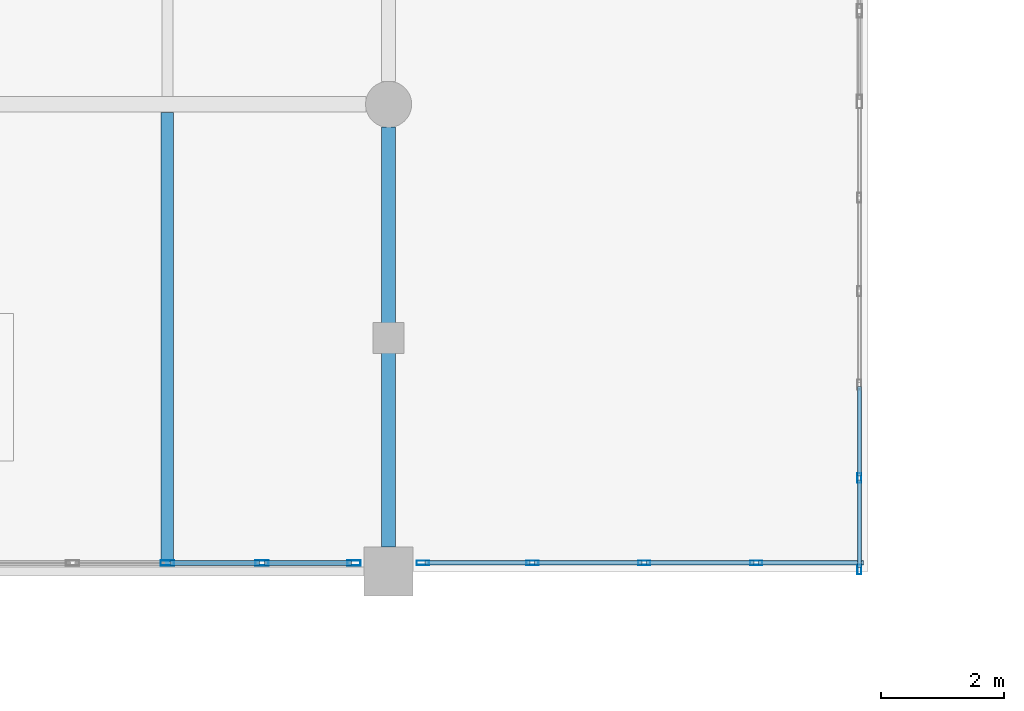
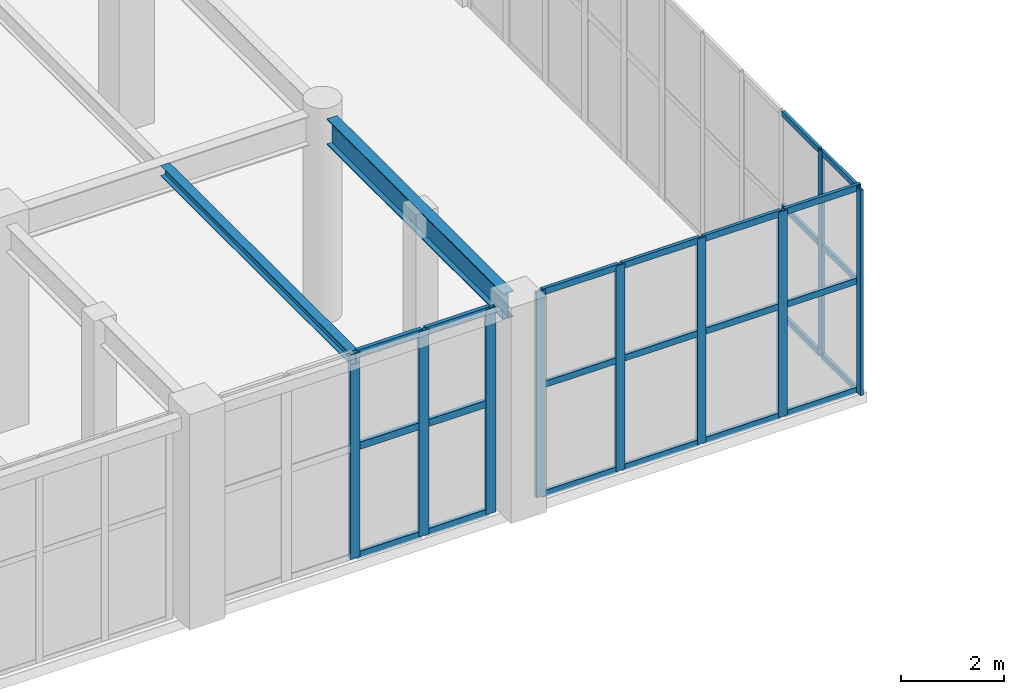
# One storey, part 43 of 128: 33 members, 2 beams, 3 elements without a shape of their own.
"""IFC4 building model written with IfcOpenShell, lengths in metres."""

from ifc_helpers import new_model, si_unit, direction, frame, origin, origin_2d, place, context, subcontext, project, spatial, hollow_rectangle, i_section, extrude, material, layer, layer_set, material_profile, profile_set, type_object, element, aggregate, save


model = new_model("IFC4")

# Units and contexts
model_context = context("Model", 3, precision=1e-05, world=origin(), true_north=direction((0.0, 1.0)))
body_context = subcontext(model_context, "Body", "Model", "MODEL_VIEW")
ifc_project = project(units=[si_unit("LENGTHUNIT", "METRE"), si_unit("AREAUNIT", "SQUARE_METRE"), si_unit("VOLUMEUNIT", "CUBIC_METRE"), si_unit("PLANEANGLEUNIT", "RADIAN"), si_unit("MASSUNIT", "GRAM", prefix="KILO")], contexts=[model_context])

# Site, building, storey
site_placement = place(None, origin())
site = spatial("IfcSite", under=ifc_project, at=site_placement, CompositionType="ELEMENT")
building_placement = place(site_placement, origin())
building = spatial("IfcBuilding", under=site, at=building_placement, Name="Xicomal Pleat Aquarium", CompositionType="ELEMENT")
storey_placement = place(building_placement, frame((0.0, 0.0, 5.39990234375)))
storey = spatial("IfcBuildingStorey", under=building, at=storey_placement, Name="L02", CompositionType="ELEMENT", Elevation=5.39990234375)

# Beams
ifc_material_1 = material(Name="Structural steel A992 Gr 50", Category="steel")
ifc_material_profile_1 = material_profile(ifc_material_1, i_section(OverallWidth=0.201904296875, OverallDepth=0.2470703125, WebThickness=0.00732421875, FlangeThickness=0.010986328125, at=origin_2d()), Name="IR 250x49")
ifc_profile_set_1 = profile_set([ifc_material_profile_1], Name="Structural steel A992 Gr 50")
beam_type_1 = type_object("IfcBeamType", Name="BM-STL-IR250", PredefinedType="JOIST", material=ifc_profile_set_1)
beam_1_placement = place(storey_placement, frame((114.60009765625, 38.077880859375, 4.736572265625), z_axis=(0.0, 1.0, 0.0), x_axis=(-1.0, 0.0, 0.0)))
element("IfcBeam", 1, at=beam_1_placement, inside=storey, type_object=beam_type_1, Name="L02 framing beam FBJ-L02-14-F-1", PredefinedType="JOIST", context=body_context, shape_type="SweptSolid", body=[
    extrude(i_section(OverallWidth=0.201904296875, OverallDepth=0.2470703125, WebThickness=0.00732421875, FlangeThickness=0.010986328125, at=origin_2d()), origin(), (0.0, 0.0, 1.0), 7.39111328125),
])
ifc_material_2 = material(Name="Structural steel A992 Gr 50", Category="steel")
ifc_material_profile_2 = material_profile(ifc_material_2, i_section(OverallWidth=0.22998046875, OverallDepth=0.616943359375, WebThickness=0.01318359375, FlangeThickness=0.022216796875, at=origin_2d()), Name="IR 610x140")
ifc_profile_set_2 = profile_set([ifc_material_profile_2], Name="Structural steel A992 Gr 50")
beam_type_2 = type_object("IfcBeamType", Name="BM-STL-IR610", PredefinedType="BEAM", material=ifc_profile_set_2)
beam_2_placement = place(storey_placement, frame((118.199951171875, 38.39501953125, 4.551513671875), z_axis=(0.0, 1.0, 0.0), x_axis=(-1.0, 0.0, 0.0)))
element("IfcBeam", 2, at=beam_2_placement, inside=storey, type_object=beam_type_2, Name="L02 framing beam FGY-L02-15-F-G", PredefinedType="BEAM", context=body_context, shape_type="SweptSolid", body=[
    extrude(i_section(OverallWidth=0.22998046875, OverallDepth=0.616943359375, WebThickness=0.01318359375, FlangeThickness=0.022216796875, at=origin_2d()), origin(), (0.0, 0.0, 1.0), 6.8349609375),
])

# Curtain wall, members
ifc_material_3 = material(Name="Bronze anodized aluminium 6063-T6", Category="aluminium")
ifc_layer_1 = layer(ifc_material_3, 0.159912109375)
ifc_layer_set_1 = layer_set([ifc_layer_1], Name="Bronze anodized aluminium 6063-T6")
curtain_wall_type_1 = type_object("IfcCurtainWallType", Name="CW-SYS-02", PredefinedType="NOTDEFINED", material=ifc_layer_set_1)
curtain_wall_1_placement = place(storey_placement, origin())
curtain_wall_1 = element("IfcCurtainWall", 3, at=curtain_wall_1_placement, inside=storey, type_object=curtain_wall_type_1, Name="L02 unitised curtain wall CW-L02-114", PredefinedType="NOTDEFINED")
ifc_material_4 = material(Name="Bronze anodized aluminium 6063-T6", Category="aluminium")
ifc_material_profile_3 = material_profile(ifc_material_4, hollow_rectangle(XDim=0.06494140625, YDim=0.159912109375, WallThickness=0.00390625, at=origin_2d()), Name="ALU MULL 65x160")
ifc_profile_set_3 = profile_set([ifc_material_profile_3], Name="Bronze anodized aluminium 6063-T6")
member_type_1 = type_object("IfcMemberType", Name="CWM-65x160", PredefinedType="MULLION", material=ifc_profile_set_3)
member_1_placement = place(storey_placement, frame((125.860107421875, 39.52001953125, 0.0), z_axis=(0.0, 0.0, 1.0), x_axis=(1.0, 0.0, 0.0)))
member_1 = element("IfcMember", 4, at=member_1_placement, type_object=member_type_1, Name="CW-02 mullion 5", PredefinedType="MULLION", context=body_context, shape_type="SweptSolid", body=[
    extrude(hollow_rectangle(XDim=0.06494140625, YDim=0.159912109375, WallThickness=0.00390625, at=origin_2d()), origin(), (0.0, 0.0, 1.0), 4.860107421875),
])
member_2_placement = place(storey_placement, frame((125.860107421875, 38.032470703125, 0.0), z_axis=(0.0, 0.0, 1.0), x_axis=(1.0, 0.0, 0.0)))
member_2 = element("IfcMember", 5, at=member_2_placement, type_object=member_type_1, Name="CW-02 mullion 6", PredefinedType="MULLION", context=body_context, shape_type="SweptSolid", body=[
    extrude(hollow_rectangle(XDim=0.06494140625, YDim=0.159912109375, WallThickness=0.00390625, at=origin_2d()), origin(), (0.0, 0.0, 1.0), 4.860107421875),
])

ifc_material_5 = material(Name="Bronze anodized aluminium 6063-T6", Category="aluminium")
ifc_layer_2 = layer(ifc_material_5, 0.159912109375)
ifc_layer_set_2 = layer_set([ifc_layer_2], Name="Bronze anodized aluminium 6063-T6")
curtain_wall_type_2 = type_object("IfcCurtainWallType", Name="CW-SYS-07", PredefinedType="NOTDEFINED", material=ifc_layer_set_2)
curtain_wall_2_placement = place(storey_placement, origin())
curtain_wall_2 = element("IfcCurtainWall", 6, at=curtain_wall_2_placement, inside=storey, type_object=curtain_wall_type_2, Name="L02 unitised curtain wall CW-L02-115", PredefinedType="NOTDEFINED")
ifc_material_6 = material(Name="Bronze anodized aluminium 6063-T6", Category="aluminium")
ifc_material_profile_4 = material_profile(ifc_material_6, hollow_rectangle(XDim=0.074951171875, YDim=0.199951171875, WallThickness=0.00439453125, at=origin_2d()), Name="ALU MULL 75x200")
ifc_profile_set_4 = profile_set([ifc_material_profile_4], Name="Bronze anodized aluminium 6063-T6")
member_type_2 = type_object("IfcMemberType", Name="CWM-75x200", PredefinedType="MULLION", material=ifc_profile_set_4)
member_3_placement = place(storey_placement, frame((124.179931640625, 38.139892578125, 0.0), z_axis=(0.0, 0.0, 1.0), x_axis=(0.0, -1.0, 0.0)))
member_3 = element("IfcMember", 7, at=member_3_placement, type_object=member_type_2, Name="CW-07 mullion 2", PredefinedType="MULLION", context=body_context, shape_type="SweptSolid", body=[
    extrude(hollow_rectangle(XDim=0.074951171875, YDim=0.199951171875, WallThickness=0.00439453125, at=origin_2d()), origin(), (0.0, 0.0, 1.0), 4.860107421875),
])
member_4_placement = place(storey_placement, frame((122.360107421875, 38.139892578125, 0.0), z_axis=(0.0, 0.0, 1.0), x_axis=(0.0, -1.0, 0.0)))
member_4 = element("IfcMember", 8, at=member_4_placement, type_object=member_type_2, Name="CW-07 mullion 3", PredefinedType="MULLION", context=body_context, shape_type="SweptSolid", body=[
    extrude(hollow_rectangle(XDim=0.074951171875, YDim=0.199951171875, WallThickness=0.00439453125, at=origin_2d()), origin(), (0.0, 0.0, 1.0), 4.860107421875),
])
member_5_placement = place(storey_placement, frame((120.5400390625, 38.139892578125, 0.0), z_axis=(0.0, 0.0, 1.0), x_axis=(0.0, -1.0, 0.0)))
member_5 = element("IfcMember", 9, at=member_5_placement, type_object=member_type_2, Name="CW-07 mullion 4", PredefinedType="MULLION", context=body_context, shape_type="SweptSolid", body=[
    extrude(hollow_rectangle(XDim=0.074951171875, YDim=0.199951171875, WallThickness=0.00439453125, at=origin_2d()), origin(), (0.0, 0.0, 1.0), 4.860107421875),
])
member_6_placement = place(storey_placement, frame((118.757568359375, 38.139892578125, 0.0), z_axis=(0.0, 0.0, 1.0), x_axis=(0.0, -1.0, 0.0)))
member_6 = element("IfcMember", 10, at=member_6_placement, type_object=member_type_2, Name="CW-07 mullion 5", PredefinedType="MULLION", context=body_context, shape_type="SweptSolid", body=[
    extrude(hollow_rectangle(XDim=0.074951171875, YDim=0.199951171875, WallThickness=0.00439453125, at=origin_2d()), origin(), (0.0, 0.0, 1.0), 4.860107421875),
])

ifc_material_7 = material(Name="Bronze anodized aluminium 6063-T6", Category="aluminium")
ifc_layer_3 = layer(ifc_material_7, 0.159912109375)
ifc_layer_set_3 = layer_set([ifc_layer_3], Name="Bronze anodized aluminium 6063-T6")
curtain_wall_type_3 = type_object("IfcCurtainWallType", Name="CW-SYS-12", PredefinedType="NOTDEFINED", material=ifc_layer_set_3)
curtain_wall_3_placement = place(storey_placement, origin())
curtain_wall_3 = element("IfcCurtainWall", 11, at=curtain_wall_3_placement, inside=storey, type_object=curtain_wall_type_3, Name="L02 unitised curtain wall CW-L02-116", PredefinedType="NOTDEFINED")
ifc_material_8 = material(Name="Bronze anodized aluminium 6063-T6", Category="aluminium")
ifc_material_profile_5 = material_profile(ifc_material_8, hollow_rectangle(XDim=0.0849609375, YDim=0.219970703125, WallThickness=0.0048828125, at=origin_2d()), Name="ALU MULL 85x220")
ifc_profile_set_5 = profile_set([ifc_material_profile_5], Name="Bronze anodized aluminium 6063-T6")
member_type_3 = type_object("IfcMemberType", Name="CWM-85x220", PredefinedType="MULLION", material=ifc_profile_set_5)
member_7_placement = place(storey_placement, frame((117.637451171875, 38.139892578125, 0.0), z_axis=(0.0, 0.0, 1.0), x_axis=(0.0, -1.0, 0.0)))
member_7 = element("IfcMember", 12, at=member_7_placement, type_object=member_type_3, Name="CW-12 mullion 1", PredefinedType="MULLION", context=body_context, shape_type="SweptSolid", body=[
    extrude(hollow_rectangle(XDim=0.0849609375, YDim=0.219970703125, WallThickness=0.0048828125, at=origin_2d()), origin(), (0.0, 0.0, 1.0), 4.860107421875),
])
member_8_placement = place(storey_placement, frame((116.139892578125, 38.139892578125, 0.0), z_axis=(0.0, 0.0, 1.0), x_axis=(0.0, -1.0, 0.0)))
member_8 = element("IfcMember", 13, at=member_8_placement, type_object=member_type_3, Name="CW-12 mullion 2", PredefinedType="MULLION", context=body_context, shape_type="SweptSolid", body=[
    extrude(hollow_rectangle(XDim=0.0849609375, YDim=0.219970703125, WallThickness=0.0048828125, at=origin_2d()), origin(), (0.0, 0.0, 1.0), 4.860107421875),
])
member_9_placement = place(storey_placement, frame((114.60009765625, 38.139892578125, 0.0), z_axis=(0.0, 0.0, 1.0), x_axis=(0.0, -1.0, 0.0)))
member_9 = element("IfcMember", 14, at=member_9_placement, type_object=member_type_3, Name="CW-12 mullion 3", PredefinedType="MULLION", context=body_context, shape_type="SweptSolid", body=[
    extrude(hollow_rectangle(XDim=0.0849609375, YDim=0.219970703125, WallThickness=0.0048828125, at=origin_2d()), origin(), (0.0, 0.0, 1.0), 4.860107421875),
])

# Member
ifc_material_9 = material(Name="Bronze anodized aluminium 6063-T6", Category="aluminium")
ifc_material_profile_6 = material_profile(ifc_material_9, hollow_rectangle(XDim=0.06494140625, YDim=0.1298828125, WallThickness=0.00390625, at=origin_2d()), Name="ALU TRAN 65x130")
ifc_profile_set_6 = profile_set([ifc_material_profile_6], Name="Bronze anodized aluminium 6063-T6")
member_type_4 = type_object("IfcMemberType", Name="CWT-65x130", PredefinedType="USERDEFINED", material=ifc_profile_set_6)
member_10_placement = place(storey_placement, frame((125.860107421875, 41.007568359375, 0.03271484375), z_axis=(0.0, -1.0, 0.0), x_axis=(1.0, 0.0, 0.0)))
member_10 = element("IfcMember", 15, at=member_10_placement, type_object=member_type_4, Name="CW-02 transom 4.1", ObjectType="TRANSOM", PredefinedType="USERDEFINED", context=body_context, shape_type="SweptSolid", body=[
    extrude(hollow_rectangle(XDim=0.06494140625, YDim=0.1298828125, WallThickness=0.00390625, at=origin_2d()), origin(), (0.0, 0.0, 1.0), 1.455078125),
])

member_11_placement = place(storey_placement, frame((125.860107421875, 41.007568359375, 2.6240234375), z_axis=(0.0, -1.0, 0.0), x_axis=(1.0, 0.0, 0.0)))
member_11 = element("IfcMember", 16, at=member_11_placement, type_object=member_type_4, Name="CW-02 transom 4.2", ObjectType="TRANSOM", PredefinedType="USERDEFINED", context=body_context, shape_type="SweptSolid", body=[
    extrude(hollow_rectangle(XDim=0.06494140625, YDim=0.1298828125, WallThickness=0.00390625, at=origin_2d()), origin(), (0.0, 0.0, 1.0), 1.455078125),
])

member_12_placement = place(storey_placement, frame((125.860107421875, 41.007568359375, 4.82763671875), z_axis=(0.0, -1.0, 0.0), x_axis=(1.0, 0.0, 0.0)))
member_12 = element("IfcMember", 17, at=member_12_placement, type_object=member_type_4, Name="CW-02 transom 4.3", ObjectType="TRANSOM", PredefinedType="USERDEFINED", context=body_context, shape_type="SweptSolid", body=[
    extrude(hollow_rectangle(XDim=0.06494140625, YDim=0.1298828125, WallThickness=0.00390625, at=origin_2d()), origin(), (0.0, 0.0, 1.0), 1.455078125),
])

member_13_placement = place(storey_placement, frame((125.860107421875, 39.487548828125, 0.03271484375), z_axis=(0.0, -1.0, 0.0), x_axis=(1.0, 0.0, 0.0)))
member_13 = element("IfcMember", 18, at=member_13_placement, type_object=member_type_4, Name="CW-02 transom 5.1", ObjectType="TRANSOM", PredefinedType="USERDEFINED", context=body_context, shape_type="SweptSolid", body=[
    extrude(hollow_rectangle(XDim=0.06494140625, YDim=0.1298828125, WallThickness=0.00390625, at=origin_2d()), origin(), (0.0, 0.0, 1.0), 1.422607421875),
])

member_14_placement = place(storey_placement, frame((125.860107421875, 39.487548828125, 2.6240234375), z_axis=(0.0, -1.0, 0.0), x_axis=(1.0, 0.0, 0.0)))
member_14 = element("IfcMember", 19, at=member_14_placement, type_object=member_type_4, Name="CW-02 transom 5.2", ObjectType="TRANSOM", PredefinedType="USERDEFINED", context=body_context, shape_type="SweptSolid", body=[
    extrude(hollow_rectangle(XDim=0.06494140625, YDim=0.1298828125, WallThickness=0.00390625, at=origin_2d()), origin(), (0.0, 0.0, 1.0), 1.422607421875),
])

member_15_placement = place(storey_placement, frame((125.860107421875, 39.487548828125, 4.82763671875), z_axis=(0.0, -1.0, 0.0), x_axis=(1.0, 0.0, 0.0)))
member_15 = element("IfcMember", 20, at=member_15_placement, type_object=member_type_4, Name="CW-02 transom 5.3", ObjectType="TRANSOM", PredefinedType="USERDEFINED", context=body_context, shape_type="SweptSolid", body=[
    extrude(hollow_rectangle(XDim=0.06494140625, YDim=0.1298828125, WallThickness=0.00390625, at=origin_2d()), origin(), (0.0, 0.0, 1.0), 1.422607421875),
])

aggregate(curtain_wall_1, [member_1, member_2, member_10, member_11, member_12, member_13, member_14, member_15])

ifc_material_10 = material(Name="Bronze anodized aluminium 6063-T6", Category="aluminium")
ifc_material_profile_7 = material_profile(ifc_material_10, hollow_rectangle(XDim=0.074951171875, YDim=0.14990234375, WallThickness=0.00439453125, at=origin_2d()), Name="ALU TRAN 75x150")
ifc_profile_set_7 = profile_set([ifc_material_profile_7], Name="Bronze anodized aluminium 6063-T6")
member_type_5 = type_object("IfcMemberType", Name="CWT-75x150", PredefinedType="USERDEFINED", material=ifc_profile_set_7)
member_16_placement = place(storey_placement, frame((125.925048828125, 38.139892578125, 0.03759765625), z_axis=(-1.0, 0.0, 0.0), x_axis=(0.0, -1.0, 0.0)))
member_16 = element("IfcMember", 21, at=member_16_placement, type_object=member_type_5, Name="CW-07 transom 1.1", ObjectType="TRANSOM", PredefinedType="USERDEFINED", context=body_context, shape_type="SweptSolid", body=[
    extrude(hollow_rectangle(XDim=0.074951171875, YDim=0.14990234375, WallThickness=0.00439453125, at=origin_2d()), origin(), (0.0, 0.0, 1.0), 1.70751953125),
])

member_17_placement = place(storey_placement, frame((125.925048828125, 38.139892578125, 2.6240234375), z_axis=(-1.0, 0.0, 0.0), x_axis=(0.0, -1.0, 0.0)))
member_17 = element("IfcMember", 22, at=member_17_placement, type_object=member_type_5, Name="CW-07 transom 1.2", ObjectType="TRANSOM", PredefinedType="USERDEFINED", context=body_context, shape_type="SweptSolid", body=[
    extrude(hollow_rectangle(XDim=0.074951171875, YDim=0.14990234375, WallThickness=0.00439453125, at=origin_2d()), origin(), (0.0, 0.0, 1.0), 1.70751953125),
])

member_18_placement = place(storey_placement, frame((125.925048828125, 38.139892578125, 4.822509765625), z_axis=(-1.0, 0.0, 0.0), x_axis=(0.0, -1.0, 0.0)))
member_18 = element("IfcMember", 23, at=member_18_placement, type_object=member_type_5, Name="CW-07 transom 1.3", ObjectType="TRANSOM", PredefinedType="USERDEFINED", context=body_context, shape_type="SweptSolid", body=[
    extrude(hollow_rectangle(XDim=0.074951171875, YDim=0.14990234375, WallThickness=0.00439453125, at=origin_2d()), origin(), (0.0, 0.0, 1.0), 1.70751953125),
])

member_19_placement = place(storey_placement, frame((124.142578125, 38.139892578125, 0.03759765625), z_axis=(-1.0, 0.0, 0.0), x_axis=(0.0, -1.0, 0.0)))
member_19 = element("IfcMember", 24, at=member_19_placement, type_object=member_type_5, Name="CW-07 transom 2.1", ObjectType="TRANSOM", PredefinedType="USERDEFINED", context=body_context, shape_type="SweptSolid", body=[
    extrude(hollow_rectangle(XDim=0.074951171875, YDim=0.14990234375, WallThickness=0.00439453125, at=origin_2d()), origin(), (0.0, 0.0, 1.0), 1.7451171875),
])

member_20_placement = place(storey_placement, frame((124.142578125, 38.139892578125, 2.6240234375), z_axis=(-1.0, 0.0, 0.0), x_axis=(0.0, -1.0, 0.0)))
member_20 = element("IfcMember", 25, at=member_20_placement, type_object=member_type_5, Name="CW-07 transom 2.2", ObjectType="TRANSOM", PredefinedType="USERDEFINED", context=body_context, shape_type="SweptSolid", body=[
    extrude(hollow_rectangle(XDim=0.074951171875, YDim=0.14990234375, WallThickness=0.00439453125, at=origin_2d()), origin(), (0.0, 0.0, 1.0), 1.7451171875),
])

member_21_placement = place(storey_placement, frame((124.142578125, 38.139892578125, 4.822509765625), z_axis=(-1.0, 0.0, 0.0), x_axis=(0.0, -1.0, 0.0)))
member_21 = element("IfcMember", 26, at=member_21_placement, type_object=member_type_5, Name="CW-07 transom 2.3", ObjectType="TRANSOM", PredefinedType="USERDEFINED", context=body_context, shape_type="SweptSolid", body=[
    extrude(hollow_rectangle(XDim=0.074951171875, YDim=0.14990234375, WallThickness=0.00439453125, at=origin_2d()), origin(), (0.0, 0.0, 1.0), 1.7451171875),
])

member_22_placement = place(storey_placement, frame((122.322509765625, 38.139892578125, 0.03759765625), z_axis=(-1.0, 0.0, 0.0), x_axis=(0.0, -1.0, 0.0)))
member_22 = element("IfcMember", 27, at=member_22_placement, type_object=member_type_5, Name="CW-07 transom 3.1", ObjectType="TRANSOM", PredefinedType="USERDEFINED", context=body_context, shape_type="SweptSolid", body=[
    extrude(hollow_rectangle(XDim=0.074951171875, YDim=0.14990234375, WallThickness=0.00439453125, at=origin_2d()), origin(), (0.0, 0.0, 1.0), 1.7451171875),
])

member_23_placement = place(storey_placement, frame((122.322509765625, 38.139892578125, 2.6240234375), z_axis=(-1.0, 0.0, 0.0), x_axis=(0.0, -1.0, 0.0)))
member_23 = element("IfcMember", 28, at=member_23_placement, type_object=member_type_5, Name="CW-07 transom 3.2", ObjectType="TRANSOM", PredefinedType="USERDEFINED", context=body_context, shape_type="SweptSolid", body=[
    extrude(hollow_rectangle(XDim=0.074951171875, YDim=0.14990234375, WallThickness=0.00439453125, at=origin_2d()), origin(), (0.0, 0.0, 1.0), 1.7451171875),
])

member_24_placement = place(storey_placement, frame((122.322509765625, 38.139892578125, 4.822509765625), z_axis=(-1.0, 0.0, 0.0), x_axis=(0.0, -1.0, 0.0)))
member_24 = element("IfcMember", 29, at=member_24_placement, type_object=member_type_5, Name="CW-07 transom 3.3", ObjectType="TRANSOM", PredefinedType="USERDEFINED", context=body_context, shape_type="SweptSolid", body=[
    extrude(hollow_rectangle(XDim=0.074951171875, YDim=0.14990234375, WallThickness=0.00439453125, at=origin_2d()), origin(), (0.0, 0.0, 1.0), 1.7451171875),
])

member_25_placement = place(storey_placement, frame((120.50244140625, 38.139892578125, 0.03759765625), z_axis=(-1.0, 0.0, 0.0), x_axis=(0.0, -1.0, 0.0)))
member_25 = element("IfcMember", 30, at=member_25_placement, type_object=member_type_5, Name="CW-07 transom 4.1", ObjectType="TRANSOM", PredefinedType="USERDEFINED", context=body_context, shape_type="SweptSolid", body=[
    extrude(hollow_rectangle(XDim=0.074951171875, YDim=0.14990234375, WallThickness=0.00439453125, at=origin_2d()), origin(), (0.0, 0.0, 1.0), 1.70751953125),
])

member_26_placement = place(storey_placement, frame((120.50244140625, 38.139892578125, 2.6240234375), z_axis=(-1.0, 0.0, 0.0), x_axis=(0.0, -1.0, 0.0)))
member_26 = element("IfcMember", 31, at=member_26_placement, type_object=member_type_5, Name="CW-07 transom 4.2", ObjectType="TRANSOM", PredefinedType="USERDEFINED", context=body_context, shape_type="SweptSolid", body=[
    extrude(hollow_rectangle(XDim=0.074951171875, YDim=0.14990234375, WallThickness=0.00439453125, at=origin_2d()), origin(), (0.0, 0.0, 1.0), 1.70751953125),
])

member_27_placement = place(storey_placement, frame((120.50244140625, 38.139892578125, 4.822509765625), z_axis=(-1.0, 0.0, 0.0), x_axis=(0.0, -1.0, 0.0)))
member_27 = element("IfcMember", 32, at=member_27_placement, type_object=member_type_5, Name="CW-07 transom 4.3", ObjectType="TRANSOM", PredefinedType="USERDEFINED", context=body_context, shape_type="SweptSolid", body=[
    extrude(hollow_rectangle(XDim=0.074951171875, YDim=0.14990234375, WallThickness=0.00439453125, at=origin_2d()), origin(), (0.0, 0.0, 1.0), 1.70751953125),
])

aggregate(curtain_wall_2, [member_3, member_4, member_5, member_6, member_16, member_17, member_18, member_19, member_20, member_21, member_22, member_23, member_24, member_25, member_26, member_27])

ifc_material_11 = material(Name="Bronze anodized aluminium 6063-T6", Category="aluminium")
ifc_material_profile_8 = material_profile(ifc_material_11, hollow_rectangle(XDim=0.0849609375, YDim=0.169921875, WallThickness=0.0048828125, at=origin_2d()), Name="ALU TRAN 85x170")
ifc_profile_set_8 = profile_set([ifc_material_profile_8], Name="Bronze anodized aluminium 6063-T6")
member_type_6 = type_object("IfcMemberType", Name="CWT-85x170", PredefinedType="USERDEFINED", material=ifc_profile_set_8)
member_28_placement = place(storey_placement, frame((117.594970703125, 38.139892578125, 0.04248046875), z_axis=(-1.0, 0.0, 0.0), x_axis=(0.0, -1.0, 0.0)))
member_28 = element("IfcMember", 33, at=member_28_placement, type_object=member_type_6, Name="CW-12 transom 1.1", ObjectType="TRANSOM", PredefinedType="USERDEFINED", context=body_context, shape_type="SweptSolid", body=[
    extrude(hollow_rectangle(XDim=0.0849609375, YDim=0.169921875, WallThickness=0.0048828125, at=origin_2d()), origin(), (0.0, 0.0, 1.0), 1.412353515625),
])

member_29_placement = place(storey_placement, frame((117.594970703125, 38.139892578125, 2.6240234375), z_axis=(-1.0, 0.0, 0.0), x_axis=(0.0, -1.0, 0.0)))
member_29 = element("IfcMember", 34, at=member_29_placement, type_object=member_type_6, Name="CW-12 transom 1.2", ObjectType="TRANSOM", PredefinedType="USERDEFINED", context=body_context, shape_type="SweptSolid", body=[
    extrude(hollow_rectangle(XDim=0.0849609375, YDim=0.169921875, WallThickness=0.0048828125, at=origin_2d()), origin(), (0.0, 0.0, 1.0), 1.412353515625),
])

member_30_placement = place(storey_placement, frame((117.594970703125, 38.139892578125, 4.817626953125), z_axis=(-1.0, 0.0, 0.0), x_axis=(0.0, -1.0, 0.0)))
member_30 = element("IfcMember", 35, at=member_30_placement, type_object=member_type_6, Name="CW-12 transom 1.3", ObjectType="TRANSOM", PredefinedType="USERDEFINED", context=body_context, shape_type="SweptSolid", body=[
    extrude(hollow_rectangle(XDim=0.0849609375, YDim=0.169921875, WallThickness=0.0048828125, at=origin_2d()), origin(), (0.0, 0.0, 1.0), 1.412353515625),
])

member_31_placement = place(storey_placement, frame((116.097412109375, 38.139892578125, 0.04248046875), z_axis=(-1.0, 0.0, 0.0), x_axis=(0.0, -1.0, 0.0)))
member_31 = element("IfcMember", 36, at=member_31_placement, type_object=member_type_6, Name="CW-12 transom 2.1", ObjectType="TRANSOM", PredefinedType="USERDEFINED", context=body_context, shape_type="SweptSolid", body=[
    extrude(hollow_rectangle(XDim=0.0849609375, YDim=0.169921875, WallThickness=0.0048828125, at=origin_2d()), origin(), (0.0, 0.0, 1.0), 1.454833984375),
])

member_32_placement = place(storey_placement, frame((116.097412109375, 38.139892578125, 2.6240234375), z_axis=(-1.0, 0.0, 0.0), x_axis=(0.0, -1.0, 0.0)))
member_32 = element("IfcMember", 37, at=member_32_placement, type_object=member_type_6, Name="CW-12 transom 2.2", ObjectType="TRANSOM", PredefinedType="USERDEFINED", context=body_context, shape_type="SweptSolid", body=[
    extrude(hollow_rectangle(XDim=0.0849609375, YDim=0.169921875, WallThickness=0.0048828125, at=origin_2d()), origin(), (0.0, 0.0, 1.0), 1.454833984375),
])

member_33_placement = place(storey_placement, frame((116.097412109375, 38.139892578125, 4.817626953125), z_axis=(-1.0, 0.0, 0.0), x_axis=(0.0, -1.0, 0.0)))
member_33 = element("IfcMember", 38, at=member_33_placement, type_object=member_type_6, Name="CW-12 transom 2.3", ObjectType="TRANSOM", PredefinedType="USERDEFINED", context=body_context, shape_type="SweptSolid", body=[
    extrude(hollow_rectangle(XDim=0.0849609375, YDim=0.169921875, WallThickness=0.0048828125, at=origin_2d()), origin(), (0.0, 0.0, 1.0), 1.454833984375),
])

aggregate(curtain_wall_3, [member_7, member_8, member_9, member_28, member_29, member_30, member_31, member_32, member_33])

save(model, "model.ifc")
